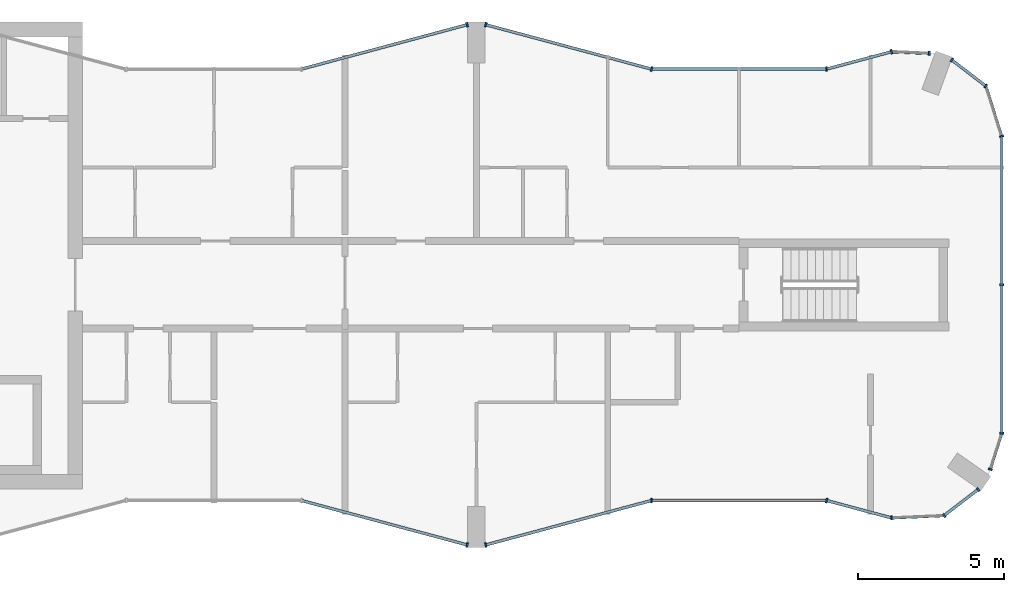
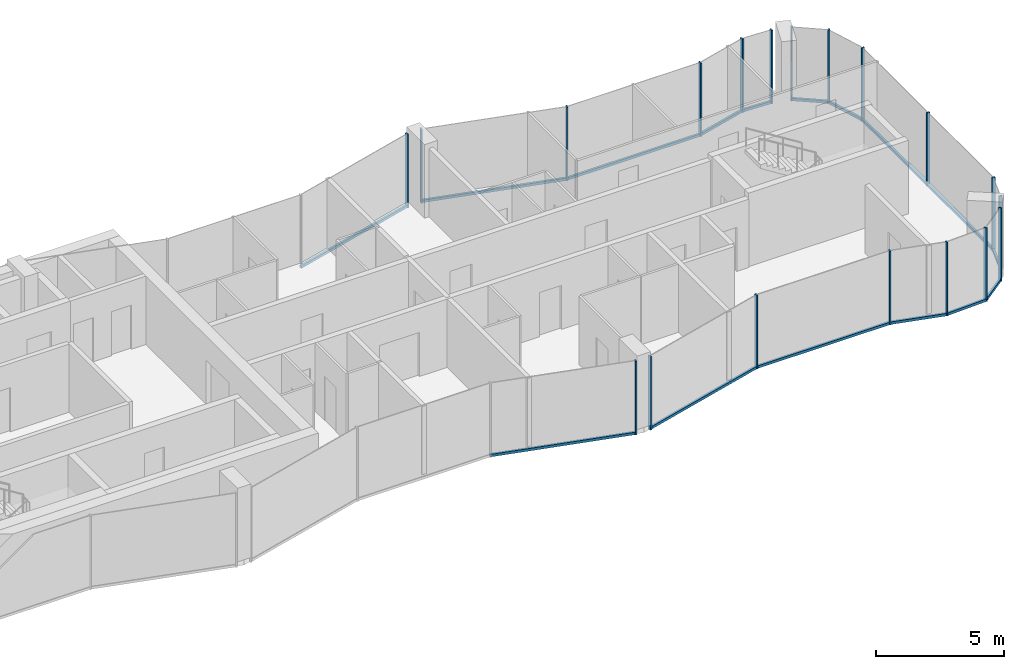
# One storey, part 5 of 10: 34 members, 15 elements without a shape of their own.
"""IFC4 building model written with IfcOpenShell, lengths in metres."""

from ifc_helpers import new_model, si_unit, direction, frame, origin, origin_2d, place, context, subcontext, project, spatial, rectangle, extrude, material, layer, layer_set, material_profile, profile_set, type_object, element, aggregate, save


model = new_model("IFC4")

# Units and contexts
model_context = context("Model", 3, precision=1e-05, world=origin(), true_north=direction((0.0, 1.0)))
body_context = subcontext(model_context, "Body", "Model", "MODEL_VIEW")
ifc_project = project(units=[si_unit("LENGTHUNIT", "METRE"), si_unit("AREAUNIT", "SQUARE_METRE"), si_unit("VOLUMEUNIT", "CUBIC_METRE"), si_unit("PLANEANGLEUNIT", "RADIAN"), si_unit("MASSUNIT", "GRAM", prefix="KILO")], contexts=[model_context])

# Site, building, storey
site_placement = place(None, origin())
site = spatial("IfcSite", under=ifc_project, at=site_placement, CompositionType="ELEMENT")
building_placement = place(site_placement, origin())
building = spatial("IfcBuilding", under=site, at=building_placement, Name="Plateau Cross Towers", CompositionType="ELEMENT")
storey_placement = place(building_placement, frame((0.0, 0.0, 249.39990234375)))
storey = spatial("IfcBuildingStorey", under=building, at=storey_placement, Name="L65", CompositionType="ELEMENT", Elevation=249.39990234375)

# Curtain wall, member
ifc_material_1 = material(Name="Dark low-iron glass", Category="glass")
ifc_layer_1 = layer(ifc_material_1, 0.239990234375)
ifc_layer_set_1 = layer_set([ifc_layer_1], Name="Dark low-iron glass")
curtain_wall_type_1 = type_object("IfcCurtainWallType", Name="Curtain wall flush unitised CW-B", PredefinedType="NOTDEFINED", material=ifc_layer_set_1)
curtain_wall_1_placement = place(storey_placement, origin())
curtain_wall_1 = element("IfcCurtainWall", 1, at=curtain_wall_1_placement, inside=storey, type_object=curtain_wall_type_1, Name="ENV/A/L65/A502_10", PredefinedType="NOTDEFINED")
ifc_material_2 = material(Name="Black anodised aluminium", Category="aluminium")
ifc_material_profile_1 = material_profile(ifc_material_2, rectangle(XDim=0.06005859375, YDim=0.139892578125, at=origin_2d()), Name="MULLION 60x140")
ifc_profile_set_1 = profile_set([ifc_material_profile_1], Name="Black anodised aluminium")
member_type_1 = type_object("IfcMemberType", Name="Mullion 60x140 flush unitised", PredefinedType="MULLION", material=ifc_profile_set_1)
member_1_placement = place(storey_placement, frame((50.223876953125, 1.01123046875, -0.25), z_axis=(0.0, 0.0, 1.0), x_axis=(0.999043701491, 0.043722791671, 0.0)))
member_1 = element("IfcMember", 2, at=member_1_placement, type_object=member_type_1, Name="CW-B mullion 1", PredefinedType="MULLION", context=body_context, shape_type="SweptSolid", body=[
    extrude(rectangle(XDim=0.06005859375, YDim=0.139892578125, at=origin_2d()), origin(), (0.0, 0.0, 1.0), 3.5),
])

# Curtain wall, members
curtain_wall_2_placement = place(storey_placement, origin())
curtain_wall_2 = element("IfcCurtainWall", 3, at=curtain_wall_2_placement, inside=storey, type_object=curtain_wall_type_1, Name="ENV/A/L65/A520_11", PredefinedType="NOTDEFINED")
member_2_placement = place(storey_placement, frame((52.0263671875, 1.090087890625, -0.25), z_axis=(0.0, 0.0, 1.0), x_axis=(0.793315514529, 0.608810721331, 0.0)))
member_2 = element("IfcMember", 4, at=member_2_placement, type_object=member_type_1, Name="CW-B mullion 1", PredefinedType="MULLION", context=body_context, shape_type="SweptSolid", body=[
    extrude(rectangle(XDim=0.06005859375, YDim=0.139892578125, at=origin_2d()), origin(), (0.0, 0.0, 1.0), 3.5),
])
member_3_placement = place(storey_placement, frame((53.193603515625, 1.986083984375, -0.25), z_axis=(0.0, 0.0, 1.0), x_axis=(0.793315514529, 0.608810721331, 0.0)))
member_3 = element("IfcMember", 5, at=member_3_placement, type_object=member_type_1, Name="CW-B mullion 2", PredefinedType="MULLION", context=body_context, shape_type="SweptSolid", body=[
    extrude(rectangle(XDim=0.06005859375, YDim=0.139892578125, at=origin_2d()), origin(), (0.0, 0.0, 1.0), 3.5),
])

# Curtain wall, member
curtain_wall_3_placement = place(storey_placement, origin())
curtain_wall_3 = element("IfcCurtainWall", 6, at=curtain_wall_3_placement, inside=storey, type_object=curtain_wall_type_1, Name="ENV/A/L65/A536_27", PredefinedType="NOTDEFINED")
member_4_placement = place(storey_placement, frame((53.611083984375, 2.67529296875, -0.25), z_axis=(0.0, 0.0, 1.0), x_axis=(0.300686174994, 0.95372313811, 0.0)))
member_4 = element("IfcMember", 7, at=member_4_placement, type_object=member_type_1, Name="CW-B mullion 1", PredefinedType="MULLION", context=body_context, shape_type="SweptSolid", body=[
    extrude(rectangle(XDim=0.06005859375, YDim=0.139892578125, at=origin_2d()), origin(), (0.0, 0.0, 1.0), 3.5),
])

# Curtain wall, members
curtain_wall_4_placement = place(storey_placement, origin())
curtain_wall_4 = element("IfcCurtainWall", 8, at=curtain_wall_4_placement, inside=storey, type_object=curtain_wall_type_1, Name="ENV/A/L65/A540_39", PredefinedType="NOTDEFINED")
member_5_placement = place(storey_placement, frame((54.0, 3.9091796875, -0.25), z_axis=(0.0, 0.0, 1.0), x_axis=(0.0, 1.0, 0.0)))
member_5 = element("IfcMember", 9, at=member_5_placement, type_object=member_type_1, Name="CW-B mullion 1", PredefinedType="MULLION", context=body_context, shape_type="SweptSolid", body=[
    extrude(rectangle(XDim=0.06005859375, YDim=0.139892578125, at=origin_2d()), origin(), (0.0, 0.0, 1.0), 3.5),
])
member_6_placement = place(storey_placement, frame((54.0, 9.0, -0.25), z_axis=(0.0, 0.0, 1.0), x_axis=(0.0, 1.0, 0.0)))
member_6 = element("IfcMember", 10, at=member_6_placement, type_object=member_type_1, Name="CW-B mullion 2", PredefinedType="MULLION", context=body_context, shape_type="SweptSolid", body=[
    extrude(rectangle(XDim=0.06005859375, YDim=0.139892578125, at=origin_2d()), origin(), (0.0, 0.0, 1.0), 3.5),
])

# Curtain wall, member
curtain_wall_5_placement = place(storey_placement, origin())
curtain_wall_5 = element("IfcCurtainWall", 11, at=curtain_wall_5_placement, inside=storey, type_object=curtain_wall_type_1, Name="ENV/A/L65/A540_141", PredefinedType="NOTDEFINED")
member_7_placement = place(storey_placement, frame((54.0, 14.0908203125, -0.25), z_axis=(0.0, 0.0, 1.0), x_axis=(-0.300686174994, 0.95372313811, 0.0)))
member_7 = element("IfcMember", 12, at=member_7_placement, type_object=member_type_1, Name="CW-B mullion 1", PredefinedType="MULLION", context=body_context, shape_type="SweptSolid", body=[
    extrude(rectangle(XDim=0.06005859375, YDim=0.139892578125, at=origin_2d()), origin(), (0.0, 0.0, 1.0), 3.5),
])

# Curtain wall, members
curtain_wall_6_placement = place(storey_placement, origin())
curtain_wall_6 = element("IfcCurtainWall", 13, at=curtain_wall_6_placement, inside=storey, type_object=curtain_wall_type_1, Name="ENV/A/L65/A535_158", PredefinedType="NOTDEFINED")
member_8_placement = place(storey_placement, frame((53.45751953125, 15.8115234375, -0.25), z_axis=(0.0, 0.0, 1.0), x_axis=(-0.793315514529, 0.608810721331, 0.0)))
member_8 = element("IfcMember", 14, at=member_8_placement, type_object=member_type_1, Name="CW-B mullion 1", PredefinedType="MULLION", context=body_context, shape_type="SweptSolid", body=[
    extrude(rectangle(XDim=0.06005859375, YDim=0.139892578125, at=origin_2d()), origin(), (0.0, 0.0, 1.0), 3.5),
])
member_9_placement = place(storey_placement, frame((52.290283203125, 16.707275390625, -0.25), z_axis=(0.0, 0.0, 1.0), x_axis=(-0.793315514529, 0.608810721331, 0.0)))
member_9 = element("IfcMember", 15, at=member_9_placement, type_object=member_type_1, Name="CW-B mullion 2", PredefinedType="MULLION", context=body_context, shape_type="SweptSolid", body=[
    extrude(rectangle(XDim=0.06005859375, YDim=0.139892578125, at=origin_2d()), origin(), (0.0, 0.0, 1.0), 3.5),
])

# Curtain wall, member
curtain_wall_7_placement = place(storey_placement, origin())
curtain_wall_7 = element("IfcCurtainWall", 16, at=curtain_wall_7_placement, inside=storey, type_object=curtain_wall_type_1, Name="ENV/A/L65/A515_169", PredefinedType="NOTDEFINED")
member_10_placement = place(storey_placement, frame((51.516357421875, 16.93212890625, -0.25), z_axis=(0.0, 0.0, 1.0), x_axis=(-0.999043701491, 0.043722791671, 0.0)))
member_10 = element("IfcMember", 17, at=member_10_placement, type_object=member_type_1, Name="CW-B mullion 1", PredefinedType="MULLION", context=body_context, shape_type="SweptSolid", body=[
    extrude(rectangle(XDim=0.06005859375, YDim=0.139892578125, at=origin_2d()), origin(), (0.0, 0.0, 1.0), 3.5),
])

ifc_layer_2 = layer(ifc_material_1, 0.260009765625)
ifc_layer_set_2 = layer_set([ifc_layer_2], Name="Dark low-iron glass")
curtain_wall_type_2 = type_object("IfcCurtainWallType", Name="Curtain wall fluted unitised CW-A", PredefinedType="NOTDEFINED", material=ifc_layer_set_2)
curtain_wall_8_placement = place(storey_placement, origin())
curtain_wall_8 = element("IfcCurtainWall", 18, at=curtain_wall_8_placement, inside=storey, type_object=curtain_wall_type_2, Name="ENV/A/L65/A300_16", PredefinedType="NOTDEFINED")
ifc_material_profile_2 = material_profile(ifc_material_2, rectangle(XDim=0.06005859375, YDim=0.159912109375, at=origin_2d()), Name="MULLION 60x160")
ifc_profile_set_2 = profile_set([ifc_material_profile_2], Name="Black anodised aluminium")
member_type_2 = type_object("IfcMemberType", Name="Mullion 60x160 fluted unitised", PredefinedType="MULLION", material=ifc_profile_set_2)
member_11_placement = place(storey_placement, frame((35.68212890625, 0.085205078125, -0.25), z_axis=(0.0, 0.0, 1.0), x_axis=(0.965957983404, -0.258699003279, 0.0)))
member_11 = element("IfcMember", 19, at=member_11_placement, type_object=member_type_2, Name="CW-A mullion 2", PredefinedType="MULLION", context=body_context, shape_type="SweptSolid", body=[
    extrude(rectangle(XDim=0.06005859375, YDim=0.159912109375, at=origin_2d()), origin(), (0.0, 0.0, 1.0), 3.5),
])

curtain_wall_9_placement = place(storey_placement, origin())
curtain_wall_9 = element("IfcCurtainWall", 20, at=curtain_wall_9_placement, inside=storey, type_object=curtain_wall_type_2, Name="ENV/A/L65/A363_1", PredefinedType="NOTDEFINED")
member_12_placement = place(storey_placement, frame((36.31787109375, 0.085205078125, -0.25), z_axis=(0.0, 0.0, 1.0), x_axis=(0.965957983404, 0.258699003279, 0.0)))
member_12 = element("IfcMember", 21, at=member_12_placement, type_object=member_type_2, Name="CW-A mullion 1", PredefinedType="MULLION", context=body_context, shape_type="SweptSolid", body=[
    extrude(rectangle(XDim=0.06005859375, YDim=0.159912109375, at=origin_2d()), origin(), (0.0, 0.0, 1.0), 3.5),
])

curtain_wall_10_placement = place(storey_placement, origin())
curtain_wall_10 = element("IfcCurtainWall", 22, at=curtain_wall_10_placement, inside=storey, type_object=curtain_wall_type_2, Name="ENV/A/L65/A420_16", PredefinedType="NOTDEFINED")
member_13_placement = place(storey_placement, frame((42.0, 1.60693359375, -0.25), z_axis=(0.0, 0.0, 1.0), x_axis=(1.0, 0.0, 0.0)))
member_13 = element("IfcMember", 23, at=member_13_placement, type_object=member_type_2, Name="CW-A mullion 1", PredefinedType="MULLION", context=body_context, shape_type="SweptSolid", body=[
    extrude(rectangle(XDim=0.06005859375, YDim=0.159912109375, at=origin_2d()), origin(), (0.0, 0.0, 1.0), 3.5),
])

curtain_wall_11_placement = place(storey_placement, origin())
curtain_wall_11 = element("IfcCurtainWall", 24, at=curtain_wall_11_placement, inside=storey, type_object=curtain_wall_type_2, Name="ENV/A/L65/A480_16", PredefinedType="NOTDEFINED")
member_14_placement = place(storey_placement, frame((48.0, 1.60693359375, -0.25), z_axis=(0.0, 0.0, 1.0), x_axis=(0.965957962328, -0.258699081978, 0.0)))
member_14 = element("IfcMember", 25, at=member_14_placement, type_object=member_type_2, Name="CW-A mullion 1", PredefinedType="MULLION", context=body_context, shape_type="SweptSolid", body=[
    extrude(rectangle(XDim=0.06005859375, YDim=0.159912109375, at=origin_2d()), origin(), (0.0, 0.0, 1.0), 3.5),
])

curtain_wall_12_placement = place(storey_placement, origin())
curtain_wall_12 = element("IfcCurtainWall", 26, at=curtain_wall_12_placement, inside=storey, type_object=curtain_wall_type_2, Name="ENV/A/L65/A502_170", PredefinedType="NOTDEFINED")
member_15_placement = place(storey_placement, frame((50.223876953125, 16.98876953125, -0.25), z_axis=(0.0, 0.0, 1.0), x_axis=(-0.965957962328, -0.258699081978, 0.0)))
member_15 = element("IfcMember", 27, at=member_15_placement, type_object=member_type_2, Name="CW-A mullion 1", PredefinedType="MULLION", context=body_context, shape_type="SweptSolid", body=[
    extrude(rectangle(XDim=0.06005859375, YDim=0.159912109375, at=origin_2d()), origin(), (0.0, 0.0, 1.0), 3.5),
])

curtain_wall_13_placement = place(storey_placement, origin())
curtain_wall_13 = element("IfcCurtainWall", 28, at=curtain_wall_13_placement, inside=storey, type_object=curtain_wall_type_2, Name="ENV/A/L65/A480_164", PredefinedType="NOTDEFINED")
member_16_placement = place(storey_placement, frame((48.0, 16.39306640625, -0.25), z_axis=(0.0, 0.0, 1.0), x_axis=(-1.0, 0.0, 0.0)))
member_16 = element("IfcMember", 29, at=member_16_placement, type_object=member_type_2, Name="CW-A mullion 1", PredefinedType="MULLION", context=body_context, shape_type="SweptSolid", body=[
    extrude(rectangle(XDim=0.06005859375, YDim=0.159912109375, at=origin_2d()), origin(), (0.0, 0.0, 1.0), 3.5),
])

# Curtain wall, members
curtain_wall_14_placement = place(storey_placement, origin())
curtain_wall_14 = element("IfcCurtainWall", 30, at=curtain_wall_14_placement, inside=storey, type_object=curtain_wall_type_2, Name="ENV/A/L65/A420_164", PredefinedType="NOTDEFINED")
member_17_placement = place(storey_placement, frame((42.0, 16.39306640625, -0.25), z_axis=(0.0, 0.0, 1.0), x_axis=(-0.965957983404, 0.258699003279, 0.0)))
member_17 = element("IfcMember", 31, at=member_17_placement, type_object=member_type_2, Name="CW-A mullion 1", PredefinedType="MULLION", context=body_context, shape_type="SweptSolid", body=[
    extrude(rectangle(XDim=0.06005859375, YDim=0.159912109375, at=origin_2d()), origin(), (0.0, 0.0, 1.0), 3.5),
])
member_18_placement = place(storey_placement, frame((36.31787109375, 17.914794921875, -0.25), z_axis=(0.0, 0.0, 1.0), x_axis=(-0.965957983404, 0.258699003279, 0.0)))
member_18 = element("IfcMember", 32, at=member_18_placement, type_object=member_type_2, Name="CW-A mullion 2", PredefinedType="MULLION", context=body_context, shape_type="SweptSolid", body=[
    extrude(rectangle(XDim=0.06005859375, YDim=0.159912109375, at=origin_2d()), origin(), (0.0, 0.0, 1.0), 3.5),
])

# Curtain wall, member
curtain_wall_15_placement = place(storey_placement, origin())
curtain_wall_15 = element("IfcCurtainWall", 33, at=curtain_wall_15_placement, inside=storey, type_object=curtain_wall_type_2, Name="ENV/A/L65/A357_179", PredefinedType="NOTDEFINED")
member_19_placement = place(storey_placement, frame((35.68212890625, 17.914794921875, -0.25), z_axis=(0.0, 0.0, 1.0), x_axis=(-0.965957983404, -0.258699003279, 0.0)))
member_19 = element("IfcMember", 34, at=member_19_placement, type_object=member_type_2, Name="CW-A mullion 1", PredefinedType="MULLION", context=body_context, shape_type="SweptSolid", body=[
    extrude(rectangle(XDim=0.06005859375, YDim=0.159912109375, at=origin_2d()), origin(), (0.0, 0.0, 1.0), 3.5),
])

# Member
ifc_material_profile_3 = material_profile(ifc_material_2, rectangle(XDim=0.10009765625, YDim=0.1201171875, at=origin_2d()), Name="TRANSOM 100x120")
ifc_profile_set_3 = profile_set([ifc_material_profile_3], Name="Black anodised aluminium")
member_type_3 = type_object("IfcMemberType", Name="Transom 100x120 flush unitised", PredefinedType="USERDEFINED", material=ifc_profile_set_3)
member_20_placement = place(storey_placement, frame((50.223876953125, 1.01123046875, -0.18994140625), z_axis=(0.999044377355, 0.043707345779, 0.0), x_axis=(-0.043707345779, 0.999044377355, 0.0)))
member_20 = element("IfcMember", 35, at=member_20_placement, type_object=member_type_3, Name="CW-B transom", ObjectType="TRANSOM", PredefinedType="USERDEFINED", context=body_context, shape_type="SweptSolid", body=[
    extrude(rectangle(XDim=0.10009765625, YDim=0.1201171875, at=origin_2d()), origin(), (0.0, 0.0, 1.0), 1.80419921875),
])

aggregate(curtain_wall_1, [member_1, member_20])

member_21_placement = place(storey_placement, frame((52.0263671875, 1.090087890625, -0.18994140625), z_axis=(0.793240368515, 0.608908628415, 0.0), x_axis=(-0.608908628415, 0.793240368515, 0.0)))
member_21 = element("IfcMember", 36, at=member_21_placement, type_object=member_type_3, Name="CW-B transom", ObjectType="TRANSOM", PredefinedType="USERDEFINED", context=body_context, shape_type="SweptSolid", body=[
    extrude(rectangle(XDim=0.10009765625, YDim=0.1201171875, at=origin_2d()), origin(), (0.0, 0.0, 1.0), 1.471435546875),
])

aggregate(curtain_wall_2, [member_2, member_3, member_21])

member_22_placement = place(storey_placement, frame((53.611083984375, 2.67529296875, -0.18994140625), z_axis=(0.300616528216, 0.953745093284, 0.0), x_axis=(-0.953745093284, 0.300616528216, 0.0)))
member_22 = element("IfcMember", 37, at=member_22_placement, type_object=member_type_3, Name="CW-B transom", ObjectType="TRANSOM", PredefinedType="USERDEFINED", context=body_context, shape_type="SweptSolid", body=[
    extrude(rectangle(XDim=0.10009765625, YDim=0.1201171875, at=origin_2d()), origin(), (0.0, 0.0, 1.0), 1.293701171875),
])

aggregate(curtain_wall_3, [member_4, member_22])

member_23_placement = place(storey_placement, frame((54.0, 3.9091796875, -0.18994140625), z_axis=(0.0, 1.0, 0.0), x_axis=(-1.0, 0.0, 0.0)))
member_23 = element("IfcMember", 38, at=member_23_placement, type_object=member_type_3, Name="CW-B transom", ObjectType="TRANSOM", PredefinedType="USERDEFINED", context=body_context, shape_type="SweptSolid", body=[
    extrude(rectangle(XDim=0.10009765625, YDim=0.1201171875, at=origin_2d()), origin(), (0.0, 0.0, 1.0), 10.181640625),
])

aggregate(curtain_wall_4, [member_5, member_6, member_23])

member_24_placement = place(storey_placement, frame((54.0, 14.0908203125, -0.18994140625), z_axis=(-0.30067799945, 0.953725715626, 0.0), x_axis=(-0.953725715626, -0.30067799945, 0.0)))
member_24 = element("IfcMember", 39, at=member_24_placement, type_object=member_type_3, Name="CW-B transom", ObjectType="TRANSOM", PredefinedType="USERDEFINED", context=body_context, shape_type="SweptSolid", body=[
    extrude(rectangle(XDim=0.10009765625, YDim=0.1201171875, at=origin_2d()), origin(), (0.0, 0.0, 1.0), 1.80419921875),
])

aggregate(curtain_wall_5, [member_7, member_24])

member_25_placement = place(storey_placement, frame((53.45751953125, 15.8115234375, -0.18994140625), z_axis=(-0.793320508571, 0.608804213751, 0.0), x_axis=(-0.608804213751, -0.793320508571, 0.0)))
member_25 = element("IfcMember", 40, at=member_25_placement, type_object=member_type_3, Name="CW-B transom", ObjectType="TRANSOM", PredefinedType="USERDEFINED", context=body_context, shape_type="SweptSolid", body=[
    extrude(rectangle(XDim=0.10009765625, YDim=0.1201171875, at=origin_2d()), origin(), (0.0, 0.0, 1.0), 1.471435546875),
])

aggregate(curtain_wall_6, [member_8, member_9, member_25])

member_26_placement = place(storey_placement, frame((51.516357421875, 16.93212890625, -0.18994140625), z_axis=(-0.999041144614, 0.043781175963, 0.0), x_axis=(-0.043781175963, -0.999041144614, 0.0)))
member_26 = element("IfcMember", 41, at=member_26_placement, type_object=member_type_3, Name="CW-B transom", ObjectType="TRANSOM", PredefinedType="USERDEFINED", context=body_context, shape_type="SweptSolid", body=[
    extrude(rectangle(XDim=0.10009765625, YDim=0.1201171875, at=origin_2d()), origin(), (0.0, 0.0, 1.0), 1.293701171875),
])

aggregate(curtain_wall_7, [member_10, member_26])

ifc_material_profile_4 = material_profile(ifc_material_2, rectangle(XDim=0.10009765625, YDim=0.1201171875, at=origin_2d()), Name="TRANSOM 100x120")
ifc_profile_set_4 = profile_set([ifc_material_profile_4], Name="Black anodised aluminium")
member_type_4 = type_object("IfcMemberType", Name="Transom 100x120 fluted unitised", PredefinedType="USERDEFINED", material=ifc_profile_set_4)
member_27_placement = place(storey_placement, frame((30.0, 1.60693359375, -0.18994140625), z_axis=(0.965959534794, -0.258693210465, 0.0), x_axis=(0.258693210465, 0.965959534794, 0.0)))
member_27 = element("IfcMember", 42, at=member_27_placement, type_object=member_type_4, Name="CW-A transom", ObjectType="TRANSOM", PredefinedType="USERDEFINED", context=body_context, shape_type="SweptSolid", body=[
    extrude(rectangle(XDim=0.10009765625, YDim=0.1201171875, at=origin_2d()), origin(), (0.0, 0.0, 1.0), 5.88232421875),
])

aggregate(curtain_wall_8, [member_11, member_27])

member_28_placement = place(storey_placement, frame((36.31787109375, 0.085205078125, -0.18994140625), z_axis=(0.965959534794, 0.258693210465, 0.0), x_axis=(-0.258693210465, 0.965959534794, 0.0)))
member_28 = element("IfcMember", 43, at=member_28_placement, type_object=member_type_4, Name="CW-A transom", ObjectType="TRANSOM", PredefinedType="USERDEFINED", context=body_context, shape_type="SweptSolid", body=[
    extrude(rectangle(XDim=0.10009765625, YDim=0.1201171875, at=origin_2d()), origin(), (0.0, 0.0, 1.0), 5.88232421875),
])

aggregate(curtain_wall_9, [member_12, member_28])

member_29_placement = place(storey_placement, frame((42.0, 1.60693359375, -0.18994140625), z_axis=(1.0, 0.0, 0.0), x_axis=(0.0, 1.0, 0.0)))
member_29 = element("IfcMember", 44, at=member_29_placement, type_object=member_type_4, Name="CW-A transom", ObjectType="TRANSOM", PredefinedType="USERDEFINED", context=body_context, shape_type="SweptSolid", body=[
    extrude(rectangle(XDim=0.10009765625, YDim=0.1201171875, at=origin_2d()), origin(), (0.0, 0.0, 1.0), 6.0),
])

aggregate(curtain_wall_10, [member_13, member_29])

member_30_placement = place(storey_placement, frame((48.0, 1.60693359375, -0.18994140625), z_axis=(0.965945685136, -0.258744919501, 0.0), x_axis=(0.258744919501, 0.965945685136, 0.0)))
member_30 = element("IfcMember", 45, at=member_30_placement, type_object=member_type_4, Name="CW-A transom", ObjectType="TRANSOM", PredefinedType="USERDEFINED", context=body_context, shape_type="SweptSolid", body=[
    extrude(rectangle(XDim=0.10009765625, YDim=0.1201171875, at=origin_2d()), origin(), (0.0, 0.0, 1.0), 2.30224609375),
])

aggregate(curtain_wall_11, [member_14, member_30])

member_31_placement = place(storey_placement, frame((50.223876953125, 16.98876953125, -0.18994140625), z_axis=(-0.965945685136, -0.258744919501, 0.0), x_axis=(0.258744919501, -0.965945685136, 0.0)))
member_31 = element("IfcMember", 46, at=member_31_placement, type_object=member_type_4, Name="CW-A transom", ObjectType="TRANSOM", PredefinedType="USERDEFINED", context=body_context, shape_type="SweptSolid", body=[
    extrude(rectangle(XDim=0.10009765625, YDim=0.1201171875, at=origin_2d()), origin(), (0.0, 0.0, 1.0), 2.30224609375),
])

aggregate(curtain_wall_12, [member_15, member_31])

member_32_placement = place(storey_placement, frame((48.0, 16.39306640625, -0.18994140625), z_axis=(-1.0, 0.0, 0.0), x_axis=(0.0, -1.0, 0.0)))
member_32 = element("IfcMember", 47, at=member_32_placement, type_object=member_type_4, Name="CW-A transom", ObjectType="TRANSOM", PredefinedType="USERDEFINED", context=body_context, shape_type="SweptSolid", body=[
    extrude(rectangle(XDim=0.10009765625, YDim=0.1201171875, at=origin_2d()), origin(), (0.0, 0.0, 1.0), 6.0),
])

aggregate(curtain_wall_13, [member_16, member_32])

member_33_placement = place(storey_placement, frame((42.0, 16.39306640625, -0.18994140625), z_axis=(-0.965959534794, 0.258693210465, 0.0), x_axis=(-0.258693210465, -0.965959534794, 0.0)))
member_33 = element("IfcMember", 48, at=member_33_placement, type_object=member_type_4, Name="CW-A transom", ObjectType="TRANSOM", PredefinedType="USERDEFINED", context=body_context, shape_type="SweptSolid", body=[
    extrude(rectangle(XDim=0.10009765625, YDim=0.1201171875, at=origin_2d()), origin(), (0.0, 0.0, 1.0), 5.88232421875),
])

aggregate(curtain_wall_14, [member_17, member_18, member_33])

member_34_placement = place(storey_placement, frame((35.68212890625, 17.914794921875, -0.18994140625), z_axis=(-0.965959534794, -0.258693210465, 0.0), x_axis=(0.258693210465, -0.965959534794, 0.0)))
member_34 = element("IfcMember", 49, at=member_34_placement, type_object=member_type_4, Name="CW-A transom", ObjectType="TRANSOM", PredefinedType="USERDEFINED", context=body_context, shape_type="SweptSolid", body=[
    extrude(rectangle(XDim=0.10009765625, YDim=0.1201171875, at=origin_2d()), origin(), (0.0, 0.0, 1.0), 5.88232421875),
])

aggregate(curtain_wall_15, [member_19, member_34])

save(model, "model.ifc")
